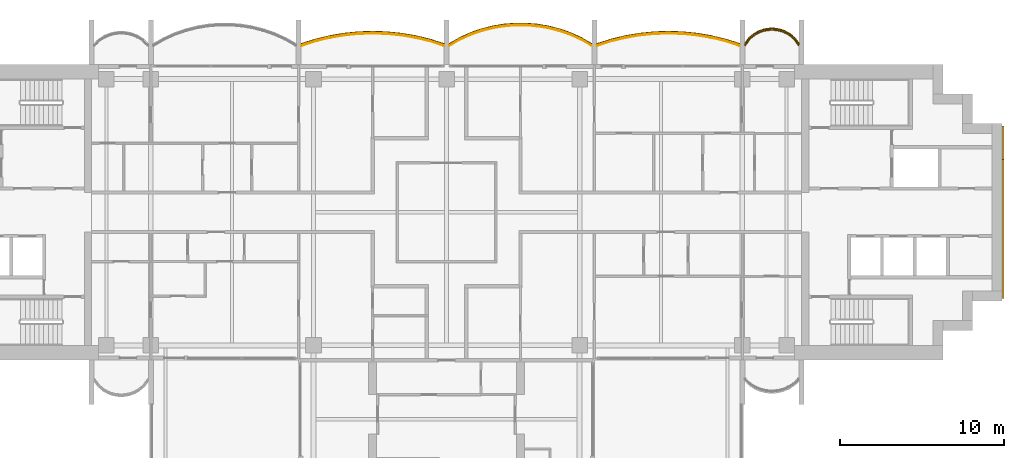
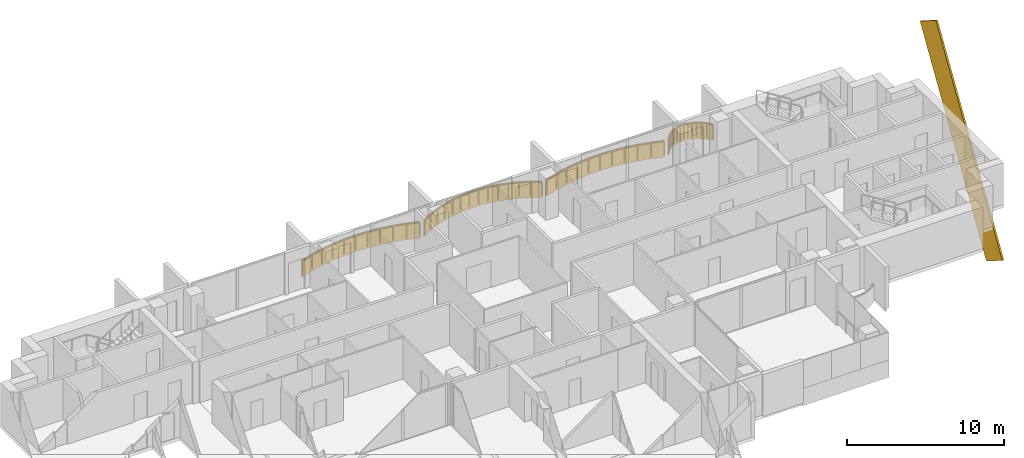
# One storey, part 17 of 17: 5 coverings, 4 railings.
"""IFC4 building model written with IfcOpenShell, lengths in metres."""

from ifc_helpers import new_model, si_unit, direction, frame, origin, origin_2d, place, context, subcontext, project, spatial, polyline, rectangle, outline, extrude, material, layer, layer_set, material_profile, profile_set, type_object, element, save


model = new_model("IFC4")

# Units and contexts
model_context = context("Model", 3, precision=1e-05, world=origin(), true_north=direction((0.0, 1.0)))
body_context = subcontext(model_context, "Body", "Model", "MODEL_VIEW")
ifc_project = project(units=[si_unit("LENGTHUNIT", "METRE"), si_unit("AREAUNIT", "SQUARE_METRE"), si_unit("VOLUMEUNIT", "CUBIC_METRE"), si_unit("PLANEANGLEUNIT", "RADIAN"), si_unit("MASSUNIT", "GRAM", prefix="KILO")], contexts=[model_context])

# Site, building, storey
site_placement = place(None, origin())
site = spatial("IfcSite", under=ifc_project, at=site_placement, CompositionType="ELEMENT")
building_placement = place(site_placement, origin())
building = spatial("IfcBuilding", under=site, at=building_placement, Name="Perihelion Cross Residences", CompositionType="ELEMENT")
storey_placement = place(building_placement, frame((0.0, 0.0, 205.10009765625)))
storey = spatial("IfcBuildingStorey", under=building, at=storey_placement, Name="L51", CompositionType="ELEMENT", Elevation=205.10009765625)

# Coverings
ifc_material_1 = material(Name="Bronze anodised aluminium", Category="aluminium")
ifc_layer = layer(ifc_material_1, 0.070068359375)
ifc_layer_set = layer_set([ifc_layer], Name="Balcony fascia 1300")
covering_type_1 = type_object("IfcCoveringType", Name="Balcony fascia 1300", PredefinedType="CLADDING", material=ifc_layer_set)
covering_1_placement = place(storey_placement, frame((0.0, 0.0, -0.2001953125)))
element("IfcCovering", 1, at=covering_1_placement, inside=storey, type_object=covering_type_1, Name="Fascia BF1 L51 east side north bay 1", PredefinedType="CLADDING", context=body_context, shape_type="SweptSolid", body=[
    extrude(outline(polyline([(21.226318359375, 10.616455078125), (20.94091796875, 10.86328125), (20.655517578125, 11.031494140625), (20.370361328125, 11.142578125), (20.085205078125, 11.206298828125), (19.800048828125, 11.22705078125), (19.514892578125, 11.206298828125), (19.229736328125, 11.142578125), (18.9443359375, 11.031494140625), (18.6591796875, 10.86328125), (18.373779296875, 10.616455078125), (18.14990234375, 10.31689453125), (18.14990234375, 10.199951171875), (18.425048828125, 10.568603515625), (18.699951171875, 10.806396484375), (18.97509765625, 10.96875), (19.25, 11.07568359375), (19.52490234375, 11.136962890625), (19.800048828125, 11.156982421875), (20.074951171875, 11.136962890625), (20.35009765625, 11.07568359375), (20.625, 10.96875), (20.89990234375, 10.806396484375), (21.175048828125, 10.568603515625), (21.449951171875, 10.199951171875), (21.449951171875, 10.31689453125), (21.226318359375, 10.616455078125)])), origin(), (0.0, 0.0, 1.0), 1.300048828125),
])
covering_2_placement = place(storey_placement, frame((0.0, 0.0, -0.2001953125)))
element("IfcCovering", 2, at=covering_2_placement, inside=storey, type_object=covering_type_1, Name="Fascia BF1 L51 east side north bay 2", PredefinedType="CLADDING", context=body_context, shape_type="SweptSolid", body=[
    extrude(outline(polyline([(16.998779296875, 10.542724609375), (16.1240234375, 10.753662109375), (15.249267578125, 10.90234375), (14.374755859375, 10.99072265625), (13.5, 11.02001953125), (12.625244140625, 10.99072265625), (11.750732421875, 10.90234375), (10.8759765625, 10.753662109375), (10.001220703125, 10.542724609375), (9.14990234375, 10.2734375), (9.14990234375, 10.199951171875), (10.02001953125, 10.47509765625), (10.889892578125, 10.68505859375), (11.760009765625, 10.8330078125), (12.6298828125, 10.9208984375), (13.5, 10.949951171875), (14.3701171875, 10.9208984375), (15.239990234375, 10.8330078125), (16.110107421875, 10.68505859375), (16.97998046875, 10.47509765625), (17.85009765625, 10.199951171875), (17.85009765625, 10.2734375), (16.998779296875, 10.542724609375)])), origin(), (0.0, 0.0, 1.0), 1.300048828125),
])
covering_3_placement = place(storey_placement, frame((0.0, 0.0, -0.2001953125)))
element("IfcCovering", 3, at=covering_3_placement, inside=storey, type_object=covering_type_1, Name="Fascia BF1 L51 north side east bay 1", PredefinedType="CLADDING", context=body_context, shape_type="SweptSolid", body=[
    extrude(outline(polyline([(8.212158203125, 10.63916015625), (7.537353515625, 10.941650390625), (6.8623046875, 11.175048828125), (6.1875, 11.345947265625), (5.512451171875, 11.457763671875), (4.83740234375, 11.51318359375), (4.16259765625, 11.51318359375), (3.487548828125, 11.457763671875), (2.8125, 11.345947265625), (2.1376953125, 11.175048828125), (1.462646484375, 10.941650390625), (0.787841796875, 10.63916015625), (0.14990234375, 10.2802734375), (0.14990234375, 10.199951171875), (0.8193359375, 10.57666015625), (1.488525390625, 10.87646484375), (2.15771484375, 11.108154296875), (2.826904296875, 11.27734375), (3.49609375, 11.38818359375), (4.165283203125, 11.443115234375), (4.834716796875, 11.443115234375), (5.50390625, 11.38818359375), (6.173095703125, 11.27734375), (6.84228515625, 11.108154296875), (7.511474609375, 10.87646484375), (8.1806640625, 10.57666015625), (8.85009765625, 10.199951171875), (8.85009765625, 10.2802734375), (8.212158203125, 10.63916015625)])), origin(), (0.0, 0.0, 1.0), 1.300048828125),
])
covering_4_placement = place(storey_placement, frame((0.0, 0.0, -0.2001953125)))
element("IfcCovering", 4, at=covering_4_placement, inside=storey, type_object=covering_type_1, Name="Fascia BF1 L51 north side east bay 2", PredefinedType="CLADDING", context=body_context, shape_type="SweptSolid", body=[
    extrude(outline(polyline([(-1.001220703125, 10.542724609375), (-1.8759765625, 10.753662109375), (-2.750732421875, 10.90234375), (-3.625244140625, 10.99072265625), (-4.5, 11.02001953125), (-5.374755859375, 10.99072265625), (-6.249267578125, 10.90234375), (-7.1240234375, 10.753662109375), (-7.998779296875, 10.542724609375), (-8.85009765625, 10.2734375), (-8.85009765625, 10.199951171875), (-7.97998046875, 10.47509765625), (-7.110107421875, 10.68505859375), (-6.239990234375, 10.8330078125), (-5.3701171875, 10.9208984375), (-4.5, 10.949951171875), (-3.6298828125, 10.9208984375), (-2.760009765625, 10.8330078125), (-1.889892578125, 10.68505859375), (-1.02001953125, 10.47509765625), (-0.14990234375, 10.199951171875), (-0.14990234375, 10.2734375), (-1.001220703125, 10.542724609375)])), origin(), (0.0, 0.0, 1.0), 1.300048828125),
])

# Railings
ifc_material_2 = material(Name="Bronze anodised aluminium", Category="aluminium")
railing_type = type_object("IfcRailingType", Name="Balcony guard 1100", PredefinedType="GUARDRAIL", material=ifc_material_2)
railing_1_placement = place(storey_placement, frame((21.425048828125, 10.139892578125, 0.0)))
element("IfcRailing", 5, at=railing_1_placement, inside=storey, type_object=railing_type, Name="Guard GU1 L51 east side north bay 1 balcony", PredefinedType="GUARDRAIL", context=body_context, shape_type="SweptSolid", body=[
    extrude(rectangle(XDim=0.048095703125, YDim=0.048095703125, at=origin_2d()), frame((0.0, 0.0, 1.076171875), z_axis=(-0.561260132269, 0.827639452857, 0.0), x_axis=(-0.827639452857, -0.561260132269, 0.0)), (0.0, 0.0, 1.0), 0.4453125),
    extrude(rectangle(XDim=0.048095703125, YDim=0.048095703125, at=origin_2d()), frame((-0.25, 0.36865234375, 1.076171875), z_axis=(-0.756596535164, 0.653882009982, 0.0), x_axis=(-0.653882009982, -0.756596535164, 0.0)), (0.0, 0.0, 1.0), 0.36376953125),
    extrude(rectangle(XDim=0.048095703125, YDim=0.048095703125, at=origin_2d()), frame((-0.525146484375, 0.6064453125, 1.076171875), z_axis=(-0.861048292884, 0.508523192511, 0.0), x_axis=(-0.508523192511, -0.861048292884, 0.0)), (0.0, 0.0, 1.0), 0.3193359375),
    extrude(rectangle(XDim=0.048095703125, YDim=0.048095703125, at=origin_2d()), frame((-0.800048828125, 0.768798828125, 1.076171875), z_axis=(-0.931973602183, 0.362526143656, 0.0), x_axis=(-0.362526143656, -0.931973602183, 0.0)), (0.0, 0.0, 1.0), 0.294921875),
    extrude(rectangle(XDim=0.048095703125, YDim=0.048095703125, at=origin_2d()), frame((-1.074951171875, 0.875732421875, 1.076171875), z_axis=(-0.976085059389, 0.21738895289, 0.0), x_axis=(-0.21738895289, -0.976085059389, 0.0)), (0.0, 0.0, 1.0), 0.281982421875),
    extrude(rectangle(XDim=0.048095703125, YDim=0.048095703125, at=origin_2d()), frame((-1.35009765625, 0.93701171875, 1.076171875), z_axis=(-0.997358821833, 0.072631814734, 0.0), x_axis=(-0.072631814734, -0.997358821833, 0.0)), (0.0, 0.0, 1.0), 0.275634765625),
    extrude(rectangle(XDim=0.048095703125, YDim=0.048095703125, at=origin_2d()), frame((-1.625, 0.95703125, 1.076171875), z_axis=(-0.997363488337, -0.072567707226, 0.0), x_axis=(0.072567707226, -0.997363488337, 0.0)), (0.0, 0.0, 1.0), 0.27587890625),
    extrude(rectangle(XDim=0.048095703125, YDim=0.048095703125, at=origin_2d()), frame((-1.900146484375, 0.93701171875, 1.076171875), z_axis=(-0.976044077717, -0.217572880557, 0.0), x_axis=(0.217572880557, -0.976044077717, 0.0)), (0.0, 0.0, 1.0), 0.28173828125),
    extrude(rectangle(XDim=0.048095703125, YDim=0.048095703125, at=origin_2d()), frame((-2.175048828125, 0.875732421875, 1.076171875), z_axis=(-0.931973602183, -0.362526143656, 0.0), x_axis=(0.362526143656, -0.931973602183, 0.0)), (0.0, 0.0, 1.0), 0.294921875),
    extrude(rectangle(XDim=0.048095703125, YDim=0.048095703125, at=origin_2d()), frame((-2.449951171875, 0.768798828125, 1.076171875), z_axis=(-0.861245845072, -0.508188542123, 0.0), x_axis=(0.508188542123, -0.861245845072, 0.0)), (0.0, 0.0, 1.0), 0.319580078125),
    extrude(rectangle(XDim=0.048095703125, YDim=0.048095703125, at=origin_2d()), frame((-2.72509765625, 0.6064453125, 1.076171875), z_axis=(-0.756309278473, -0.654214242658, 0.0), x_axis=(0.654214242658, -0.756309278473, 0.0)), (0.0, 0.0, 1.0), 0.363525390625),
    extrude(rectangle(XDim=0.048095703125, YDim=0.048095703125, at=origin_2d()), frame((-3.0, 0.36865234375, 1.076171875), z_axis=(-0.561260132269, -0.827639452857, 0.0), x_axis=(0.827639452857, -0.561260132269, 0.0)), (0.0, 0.0, 1.0), 0.4453125),
    extrude(rectangle(XDim=0.0419921875, YDim=0.0419921875, at=origin_2d()), origin(), (0.0, 0.0, 1.0), 1.052001953125),
    extrude(rectangle(XDim=0.0419921875, YDim=0.0419921875, at=origin_2d()), frame((-0.25, 0.36865234375, 0.0)), (0.0, 0.0, 1.0), 1.052001953125),
    extrude(rectangle(XDim=0.0419921875, YDim=0.0419921875, at=origin_2d()), frame((-0.525146484375, 0.6064453125, 0.0)), (0.0, 0.0, 1.0), 1.052001953125),
    extrude(rectangle(XDim=0.0419921875, YDim=0.0419921875, at=origin_2d()), frame((-0.800048828125, 0.768798828125, 0.0)), (0.0, 0.0, 1.0), 1.052001953125),
    extrude(rectangle(XDim=0.0419921875, YDim=0.0419921875, at=origin_2d()), frame((-1.074951171875, 0.875732421875, 0.0)), (0.0, 0.0, 1.0), 1.052001953125),
    extrude(rectangle(XDim=0.0419921875, YDim=0.0419921875, at=origin_2d()), frame((-1.35009765625, 0.93701171875, 0.0)), (0.0, 0.0, 1.0), 1.052001953125),
    extrude(rectangle(XDim=0.0419921875, YDim=0.0419921875, at=origin_2d()), frame((-1.625, 0.95703125, 0.0)), (0.0, 0.0, 1.0), 1.052001953125),
    extrude(rectangle(XDim=0.0419921875, YDim=0.0419921875, at=origin_2d()), frame((-1.900146484375, 0.93701171875, 0.0)), (0.0, 0.0, 1.0), 1.052001953125),
    extrude(rectangle(XDim=0.0419921875, YDim=0.0419921875, at=origin_2d()), frame((-2.175048828125, 0.875732421875, 0.0)), (0.0, 0.0, 1.0), 1.052001953125),
    extrude(rectangle(XDim=0.0419921875, YDim=0.0419921875, at=origin_2d()), frame((-2.449951171875, 0.768798828125, 0.0)), (0.0, 0.0, 1.0), 1.052001953125),
    extrude(rectangle(XDim=0.0419921875, YDim=0.0419921875, at=origin_2d()), frame((-2.72509765625, 0.6064453125, 0.0)), (0.0, 0.0, 1.0), 1.052001953125),
    extrude(rectangle(XDim=0.0419921875, YDim=0.0419921875, at=origin_2d()), frame((-3.0, 0.36865234375, 0.0)), (0.0, 0.0, 1.0), 1.052001953125),
    extrude(rectangle(XDim=0.0419921875, YDim=0.0419921875, at=origin_2d()), frame((-3.25, 0.0, 0.0)), (0.0, 0.0, 1.0), 1.052001953125),
])
railing_2_placement = place(storey_placement, frame((17.824951171875, 10.139892578125, 0.0)))
element("IfcRailing", 6, at=railing_2_placement, inside=storey, type_object=railing_type, Name="Guard GU1 L51 east side north bay 2 balcony", PredefinedType="GUARDRAIL", context=body_context, shape_type="SweptSolid", body=[
    extrude(rectangle(XDim=0.048095703125, YDim=0.048095703125, at=origin_2d()), frame((0.0, 0.0, 1.076171875), z_axis=(-0.950777354264, 0.30987484993, 0.0), x_axis=(-0.30987484993, -0.950777354264, 0.0)), (0.0, 0.0, 1.0), 0.888671875),
    extrude(rectangle(XDim=0.048095703125, YDim=0.048095703125, at=origin_2d()), frame((-0.844970703125, 0.275390625, 1.076171875), z_axis=(-0.972146551129, 0.234373810671, 0.0), x_axis=(-0.234373810671, -0.972146551129, 0.0)), (0.0, 0.0, 1.0), 0.894775390625),
    extrude(rectangle(XDim=0.048095703125, YDim=0.048095703125, at=origin_2d()), frame((-1.71484375, 0.485107421875, 1.076171875), z_axis=(-0.985850361727, 0.167627755108, 0.0), x_axis=(-0.167627755108, -0.985850361727, 0.0)), (0.0, 0.0, 1.0), 0.882568359375),
    extrude(rectangle(XDim=0.048095703125, YDim=0.048095703125, at=origin_2d()), frame((-2.5849609375, 0.633056640625, 1.076171875), z_axis=(-0.994934368303, 0.100526627165, 0.0), x_axis=(-0.100526627165, -0.994934368303, 0.0)), (0.0, 0.0, 1.0), 0.874267578125),
    extrude(rectangle(XDim=0.048095703125, YDim=0.048095703125, at=origin_2d()), frame((-3.454833984375, 0.720947265625, 1.076171875), z_axis=(-0.999443037968, 0.0333708534, 0.0), x_axis=(-0.0333708534, -0.999443037968, 0.0)), (0.0, 0.0, 1.0), 0.87060546875),
    extrude(rectangle(XDim=0.048095703125, YDim=0.048095703125, at=origin_2d()), frame((-4.324951171875, 0.75, 1.076171875), z_axis=(-0.999443037968, -0.0333708534, 0.0), x_axis=(0.0333708534, -0.999443037968, 0.0)), (0.0, 0.0, 1.0), 0.87060546875),
    extrude(rectangle(XDim=0.048095703125, YDim=0.048095703125, at=origin_2d()), frame((-5.195068359375, 0.720947265625, 1.076171875), z_axis=(-0.994934368303, -0.100526627165, 0.0), x_axis=(0.100526627165, -0.994934368303, 0.0)), (0.0, 0.0, 1.0), 0.874267578125),
    extrude(rectangle(XDim=0.048095703125, YDim=0.048095703125, at=origin_2d()), frame((-6.06494140625, 0.633056640625, 1.076171875), z_axis=(-0.985850361727, -0.167627755108, 0.0), x_axis=(0.167627755108, -0.985850361727, 0.0)), (0.0, 0.0, 1.0), 0.882568359375),
    extrude(rectangle(XDim=0.048095703125, YDim=0.048095703125, at=origin_2d()), frame((-6.93505859375, 0.485107421875, 1.076171875), z_axis=(-0.972146551129, -0.234373810671, 0.0), x_axis=(0.234373810671, -0.972146551129, 0.0)), (0.0, 0.0, 1.0), 0.894775390625),
    extrude(rectangle(XDim=0.048095703125, YDim=0.048095703125, at=origin_2d()), frame((-7.804931640625, 0.275390625, 1.076171875), z_axis=(-0.950777354264, -0.30987484993, 0.0), x_axis=(0.30987484993, -0.950777354264, 0.0)), (0.0, 0.0, 1.0), 0.888671875),
    extrude(rectangle(XDim=0.0419921875, YDim=0.0419921875, at=origin_2d()), origin(), (0.0, 0.0, 1.0), 1.052001953125),
    extrude(rectangle(XDim=0.0419921875, YDim=0.0419921875, at=origin_2d()), frame((-0.844970703125, 0.275390625, 0.0)), (0.0, 0.0, 1.0), 1.052001953125),
    extrude(rectangle(XDim=0.0419921875, YDim=0.0419921875, at=origin_2d()), frame((-1.71484375, 0.485107421875, 0.0)), (0.0, 0.0, 1.0), 1.052001953125),
    extrude(rectangle(XDim=0.0419921875, YDim=0.0419921875, at=origin_2d()), frame((-2.5849609375, 0.633056640625, 0.0)), (0.0, 0.0, 1.0), 1.052001953125),
    extrude(rectangle(XDim=0.0419921875, YDim=0.0419921875, at=origin_2d()), frame((-3.454833984375, 0.720947265625, 0.0)), (0.0, 0.0, 1.0), 1.052001953125),
    extrude(rectangle(XDim=0.0419921875, YDim=0.0419921875, at=origin_2d()), frame((-4.324951171875, 0.75, 0.0)), (0.0, 0.0, 1.0), 1.052001953125),
    extrude(rectangle(XDim=0.0419921875, YDim=0.0419921875, at=origin_2d()), frame((-5.195068359375, 0.720947265625, 0.0)), (0.0, 0.0, 1.0), 1.052001953125),
    extrude(rectangle(XDim=0.0419921875, YDim=0.0419921875, at=origin_2d()), frame((-6.06494140625, 0.633056640625, 0.0)), (0.0, 0.0, 1.0), 1.052001953125),
    extrude(rectangle(XDim=0.0419921875, YDim=0.0419921875, at=origin_2d()), frame((-6.93505859375, 0.485107421875, 0.0)), (0.0, 0.0, 1.0), 1.052001953125),
    extrude(rectangle(XDim=0.0419921875, YDim=0.0419921875, at=origin_2d()), frame((-7.804931640625, 0.275390625, 0.0)), (0.0, 0.0, 1.0), 1.052001953125),
    extrude(rectangle(XDim=0.0419921875, YDim=0.0419921875, at=origin_2d()), frame((-8.64990234375, 0.0, 0.0)), (0.0, 0.0, 1.0), 1.052001953125),
])
railing_3_placement = place(storey_placement, frame((8.824951171875, 10.139892578125, 0.0)))
element("IfcRailing", 7, at=railing_3_placement, inside=storey, type_object=railing_type, Name="Guard GU1 L51 north side east bay 1 balcony", PredefinedType="GUARDRAIL", context=body_context, shape_type="SweptSolid", body=[
    extrude(rectangle(XDim=0.048095703125, YDim=0.048095703125, at=origin_2d()), frame((0.0, 0.0, 1.076171875), z_axis=(-0.863125740505, 0.504989065305, 0.0), x_axis=(-0.504989065305, -0.863125740505, 0.0)), (0.0, 0.0, 1.0), 0.746337890625),
    extrude(rectangle(XDim=0.048095703125, YDim=0.048095703125, at=origin_2d()), frame((-0.644287109375, 0.376953125, 1.076171875), z_axis=(-0.912723499295, 0.408577794103, 0.0), x_axis=(-0.408577794103, -0.912723499295, 0.0)), (0.0, 0.0, 1.0), 0.733154296875),
    extrude(rectangle(XDim=0.048095703125, YDim=0.048095703125, at=origin_2d()), frame((-1.3134765625, 0.676513671875, 1.076171875), z_axis=(-0.944965577734, 0.327169767701, 0.0), x_axis=(-0.327169767701, -0.944965577734, 0.0)), (0.0, 0.0, 1.0), 0.708251953125),
    extrude(rectangle(XDim=0.048095703125, YDim=0.048095703125, at=origin_2d()), frame((-1.982666015625, 0.908203125, 1.076171875), z_axis=(-0.96949408574, 0.245114703181, 0.0), x_axis=(-0.245114703181, -0.96949408574, 0.0)), (0.0, 0.0, 1.0), 0.690185546875),
    extrude(rectangle(XDim=0.048095703125, YDim=0.048095703125, at=origin_2d()), frame((-2.65185546875, 1.077392578125, 1.076171875), z_axis=(-0.986500713816, 0.163756959061, 0.0), x_axis=(-0.163756959061, -0.986500713816, 0.0)), (0.0, 0.0, 1.0), 0.678466796875),
    extrude(rectangle(XDim=0.048095703125, YDim=0.048095703125, at=origin_2d()), frame((-3.321044921875, 1.1884765625, 1.076171875), z_axis=(-0.996677390684, 0.081450468994, 0.0), x_axis=(-0.081450468994, -0.996677390684, 0.0)), (0.0, 0.0, 1.0), 0.67138671875),
    extrude(rectangle(XDim=0.048095703125, YDim=0.048095703125, at=origin_2d()), frame((-3.990234375, 1.2431640625, 1.076171875), z_axis=(-1.0, 0.0, 0.0), x_axis=(0.0, -1.0, 0.0)), (0.0, 0.0, 1.0), 0.66943359375),
    extrude(rectangle(XDim=0.048095703125, YDim=0.048095703125, at=origin_2d()), frame((-4.65966796875, 1.2431640625, 1.076171875), z_axis=(-0.996677390684, -0.081450468994, 0.0), x_axis=(0.081450468994, -0.996677390684, 0.0)), (0.0, 0.0, 1.0), 0.67138671875),
    extrude(rectangle(XDim=0.048095703125, YDim=0.048095703125, at=origin_2d()), frame((-5.328857421875, 1.1884765625, 1.076171875), z_axis=(-0.986500713816, -0.163756959061, 0.0), x_axis=(0.163756959061, -0.986500713816, 0.0)), (0.0, 0.0, 1.0), 0.678466796875),
    extrude(rectangle(XDim=0.048095703125, YDim=0.048095703125, at=origin_2d()), frame((-5.998046875, 1.077392578125, 1.076171875), z_axis=(-0.96949408574, -0.245114703181, 0.0), x_axis=(0.245114703181, -0.96949408574, 0.0)), (0.0, 0.0, 1.0), 0.690185546875),
    extrude(rectangle(XDim=0.048095703125, YDim=0.048095703125, at=origin_2d()), frame((-6.667236328125, 0.908203125, 1.076171875), z_axis=(-0.944965577734, -0.327169767701, 0.0), x_axis=(0.327169767701, -0.944965577734, 0.0)), (0.0, 0.0, 1.0), 0.708251953125),
    extrude(rectangle(XDim=0.048095703125, YDim=0.048095703125, at=origin_2d()), frame((-7.33642578125, 0.676513671875, 1.076171875), z_axis=(-0.912723499295, -0.408577794103, 0.0), x_axis=(0.408577794103, -0.912723499295, 0.0)), (0.0, 0.0, 1.0), 0.733154296875),
    extrude(rectangle(XDim=0.048095703125, YDim=0.048095703125, at=origin_2d()), frame((-8.005615234375, 0.376953125, 1.076171875), z_axis=(-0.863125740505, -0.504989065305, 0.0), x_axis=(0.504989065305, -0.863125740505, 0.0)), (0.0, 0.0, 1.0), 0.746337890625),
    extrude(rectangle(XDim=0.0419921875, YDim=0.0419921875, at=origin_2d()), origin(), (0.0, 0.0, 1.0), 1.052001953125),
    extrude(rectangle(XDim=0.0419921875, YDim=0.0419921875, at=origin_2d()), frame((-0.644287109375, 0.376953125, 0.0)), (0.0, 0.0, 1.0), 1.052001953125),
    extrude(rectangle(XDim=0.0419921875, YDim=0.0419921875, at=origin_2d()), frame((-1.3134765625, 0.676513671875, 0.0)), (0.0, 0.0, 1.0), 1.052001953125),
    extrude(rectangle(XDim=0.0419921875, YDim=0.0419921875, at=origin_2d()), frame((-1.982666015625, 0.908203125, 0.0)), (0.0, 0.0, 1.0), 1.052001953125),
    extrude(rectangle(XDim=0.0419921875, YDim=0.0419921875, at=origin_2d()), frame((-2.65185546875, 1.077392578125, 0.0)), (0.0, 0.0, 1.0), 1.052001953125),
    extrude(rectangle(XDim=0.0419921875, YDim=0.0419921875, at=origin_2d()), frame((-3.321044921875, 1.1884765625, 0.0)), (0.0, 0.0, 1.0), 1.052001953125),
    extrude(rectangle(XDim=0.0419921875, YDim=0.0419921875, at=origin_2d()), frame((-3.990234375, 1.2431640625, 0.0)), (0.0, 0.0, 1.0), 1.052001953125),
    extrude(rectangle(XDim=0.0419921875, YDim=0.0419921875, at=origin_2d()), frame((-4.65966796875, 1.2431640625, 0.0)), (0.0, 0.0, 1.0), 1.052001953125),
    extrude(rectangle(XDim=0.0419921875, YDim=0.0419921875, at=origin_2d()), frame((-5.328857421875, 1.1884765625, 0.0)), (0.0, 0.0, 1.0), 1.052001953125),
    extrude(rectangle(XDim=0.0419921875, YDim=0.0419921875, at=origin_2d()), frame((-5.998046875, 1.077392578125, 0.0)), (0.0, 0.0, 1.0), 1.052001953125),
    extrude(rectangle(XDim=0.0419921875, YDim=0.0419921875, at=origin_2d()), frame((-6.667236328125, 0.908203125, 0.0)), (0.0, 0.0, 1.0), 1.052001953125),
    extrude(rectangle(XDim=0.0419921875, YDim=0.0419921875, at=origin_2d()), frame((-7.33642578125, 0.676513671875, 0.0)), (0.0, 0.0, 1.0), 1.052001953125),
    extrude(rectangle(XDim=0.0419921875, YDim=0.0419921875, at=origin_2d()), frame((-8.005615234375, 0.376953125, 0.0)), (0.0, 0.0, 1.0), 1.052001953125),
    extrude(rectangle(XDim=0.0419921875, YDim=0.0419921875, at=origin_2d()), frame((-8.64990234375, 0.0, 0.0)), (0.0, 0.0, 1.0), 1.052001953125),
])
railing_4_placement = place(storey_placement, frame((-0.175048828125, 10.139892578125, 0.0)))
element("IfcRailing", 8, at=railing_4_placement, inside=storey, type_object=railing_type, Name="Guard GU1 L51 north side east bay 2 balcony", PredefinedType="GUARDRAIL", context=body_context, shape_type="SweptSolid", body=[
    extrude(rectangle(XDim=0.048095703125, YDim=0.048095703125, at=origin_2d()), frame((0.0, 0.0, 1.076171875), z_axis=(-0.950777354264, 0.30987484993, 0.0), x_axis=(-0.30987484993, -0.950777354264, 0.0)), (0.0, 0.0, 1.0), 0.888671875),
    extrude(rectangle(XDim=0.048095703125, YDim=0.048095703125, at=origin_2d()), frame((-0.844970703125, 0.275390625, 1.076171875), z_axis=(-0.972146551129, 0.234373810671, 0.0), x_axis=(-0.234373810671, -0.972146551129, 0.0)), (0.0, 0.0, 1.0), 0.894775390625),
    extrude(rectangle(XDim=0.048095703125, YDim=0.048095703125, at=origin_2d()), frame((-1.71484375, 0.485107421875, 1.076171875), z_axis=(-0.985850361727, 0.167627755108, 0.0), x_axis=(-0.167627755108, -0.985850361727, 0.0)), (0.0, 0.0, 1.0), 0.882568359375),
    extrude(rectangle(XDim=0.048095703125, YDim=0.048095703125, at=origin_2d()), frame((-2.5849609375, 0.633056640625, 1.076171875), z_axis=(-0.994934368303, 0.100526627165, 0.0), x_axis=(-0.100526627165, -0.994934368303, 0.0)), (0.0, 0.0, 1.0), 0.874267578125),
    extrude(rectangle(XDim=0.048095703125, YDim=0.048095703125, at=origin_2d()), frame((-3.454833984375, 0.720947265625, 1.076171875), z_axis=(-0.999443037968, 0.0333708534, 0.0), x_axis=(-0.0333708534, -0.999443037968, 0.0)), (0.0, 0.0, 1.0), 0.87060546875),
    extrude(rectangle(XDim=0.048095703125, YDim=0.048095703125, at=origin_2d()), frame((-4.324951171875, 0.75, 1.076171875), z_axis=(-0.999443037968, -0.0333708534, 0.0), x_axis=(0.0333708534, -0.999443037968, 0.0)), (0.0, 0.0, 1.0), 0.87060546875),
    extrude(rectangle(XDim=0.048095703125, YDim=0.048095703125, at=origin_2d()), frame((-5.195068359375, 0.720947265625, 1.076171875), z_axis=(-0.994934368303, -0.100526627165, 0.0), x_axis=(0.100526627165, -0.994934368303, 0.0)), (0.0, 0.0, 1.0), 0.874267578125),
    extrude(rectangle(XDim=0.048095703125, YDim=0.048095703125, at=origin_2d()), frame((-6.06494140625, 0.633056640625, 1.076171875), z_axis=(-0.985850361727, -0.167627755108, 0.0), x_axis=(0.167627755108, -0.985850361727, 0.0)), (0.0, 0.0, 1.0), 0.882568359375),
    extrude(rectangle(XDim=0.048095703125, YDim=0.048095703125, at=origin_2d()), frame((-6.93505859375, 0.485107421875, 1.076171875), z_axis=(-0.972146551129, -0.234373810671, 0.0), x_axis=(0.234373810671, -0.972146551129, 0.0)), (0.0, 0.0, 1.0), 0.894775390625),
    extrude(rectangle(XDim=0.048095703125, YDim=0.048095703125, at=origin_2d()), frame((-7.804931640625, 0.275390625, 1.076171875), z_axis=(-0.950777354264, -0.30987484993, 0.0), x_axis=(0.30987484993, -0.950777354264, 0.0)), (0.0, 0.0, 1.0), 0.888671875),
    extrude(rectangle(XDim=0.0419921875, YDim=0.0419921875, at=origin_2d()), origin(), (0.0, 0.0, 1.0), 1.052001953125),
    extrude(rectangle(XDim=0.0419921875, YDim=0.0419921875, at=origin_2d()), frame((-0.844970703125, 0.275390625, 0.0)), (0.0, 0.0, 1.0), 1.052001953125),
    extrude(rectangle(XDim=0.0419921875, YDim=0.0419921875, at=origin_2d()), frame((-1.71484375, 0.485107421875, 0.0)), (0.0, 0.0, 1.0), 1.052001953125),
    extrude(rectangle(XDim=0.0419921875, YDim=0.0419921875, at=origin_2d()), frame((-2.5849609375, 0.633056640625, 0.0)), (0.0, 0.0, 1.0), 1.052001953125),
    extrude(rectangle(XDim=0.0419921875, YDim=0.0419921875, at=origin_2d()), frame((-3.454833984375, 0.720947265625, 0.0)), (0.0, 0.0, 1.0), 1.052001953125),
    extrude(rectangle(XDim=0.0419921875, YDim=0.0419921875, at=origin_2d()), frame((-4.324951171875, 0.75, 0.0)), (0.0, 0.0, 1.0), 1.052001953125),
    extrude(rectangle(XDim=0.0419921875, YDim=0.0419921875, at=origin_2d()), frame((-5.195068359375, 0.720947265625, 0.0)), (0.0, 0.0, 1.0), 1.052001953125),
    extrude(rectangle(XDim=0.0419921875, YDim=0.0419921875, at=origin_2d()), frame((-6.06494140625, 0.633056640625, 0.0)), (0.0, 0.0, 1.0), 1.052001953125),
    extrude(rectangle(XDim=0.0419921875, YDim=0.0419921875, at=origin_2d()), frame((-6.93505859375, 0.485107421875, 0.0)), (0.0, 0.0, 1.0), 1.052001953125),
    extrude(rectangle(XDim=0.0419921875, YDim=0.0419921875, at=origin_2d()), frame((-7.804931640625, 0.275390625, 0.0)), (0.0, 0.0, 1.0), 1.052001953125),
    extrude(rectangle(XDim=0.0419921875, YDim=0.0419921875, at=origin_2d()), frame((-8.64990234375, 0.0, 0.0)), (0.0, 0.0, 1.0), 1.052001953125),
])

# Covering
ifc_material_3 = material(Name="Bronze anodised aluminium", Category="aluminium")
ifc_material_profile = material_profile(ifc_material_3, rectangle(XDim=0.125, YDim=2.39990234375, at=origin_2d()), Name="Bronze cladding band 2400")
ifc_profile_set = profile_set([ifc_material_profile], Name="Bronze anodised aluminium")
covering_type_2 = type_object("IfcCoveringType", Name="Bronze cladding band 2400", PredefinedType="CLADDING", material=ifc_profile_set)
covering_5_placement = place(storey_placement, frame((33.862548828125, -4.232421875, -5.096923828125), z_axis=(0.0, 0.529924750763, 0.848044667767), x_axis=(-1.0, 0.0, 0.0)))
element("IfcCovering", 9, at=covering_5_placement, inside=storey, type_object=covering_type_2, Name="Core cladding band, east core", PredefinedType="CLADDING", context=body_context, shape_type="SweptSolid", body=[
    extrude(rectangle(XDim=0.125, YDim=2.39990234375, at=origin_2d()), origin(), (0.0, 0.0, 1.0), 15.9736328125),
])

save(model, "model.ifc")
